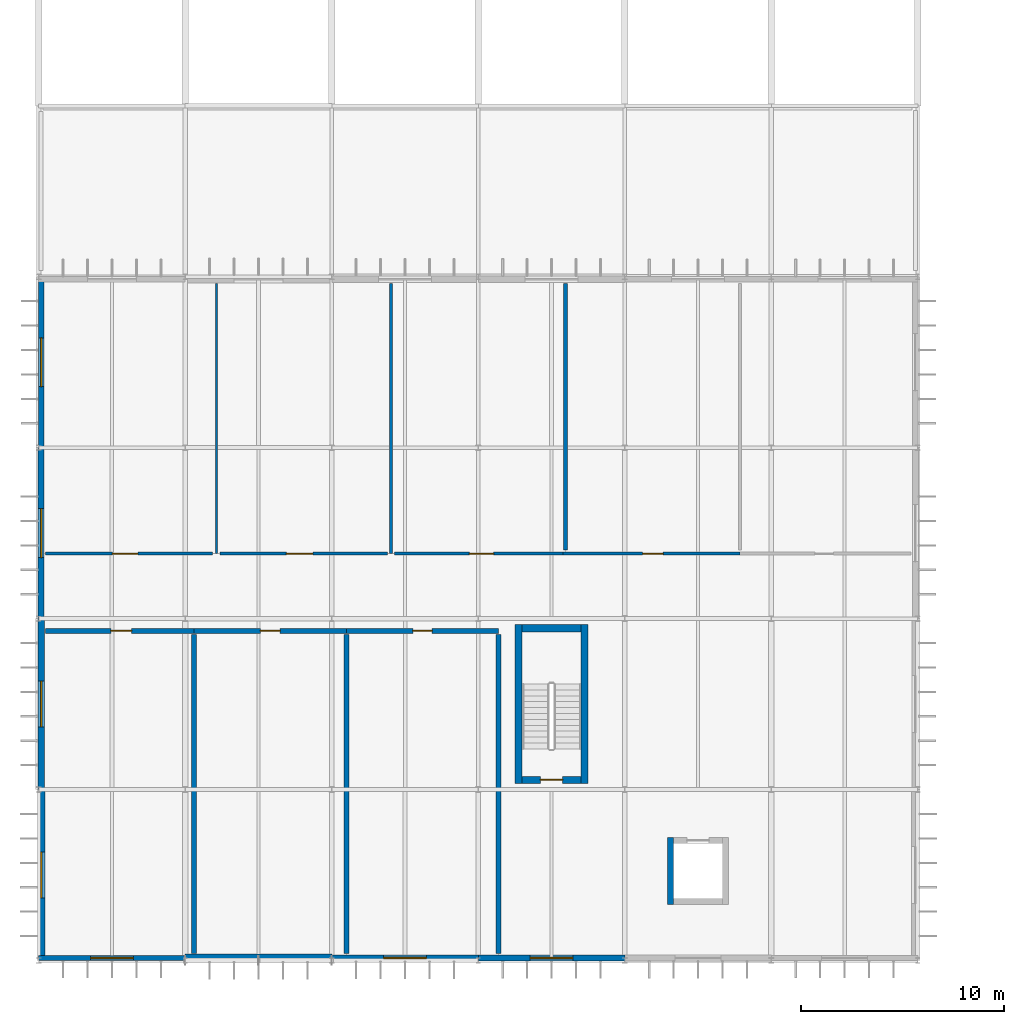
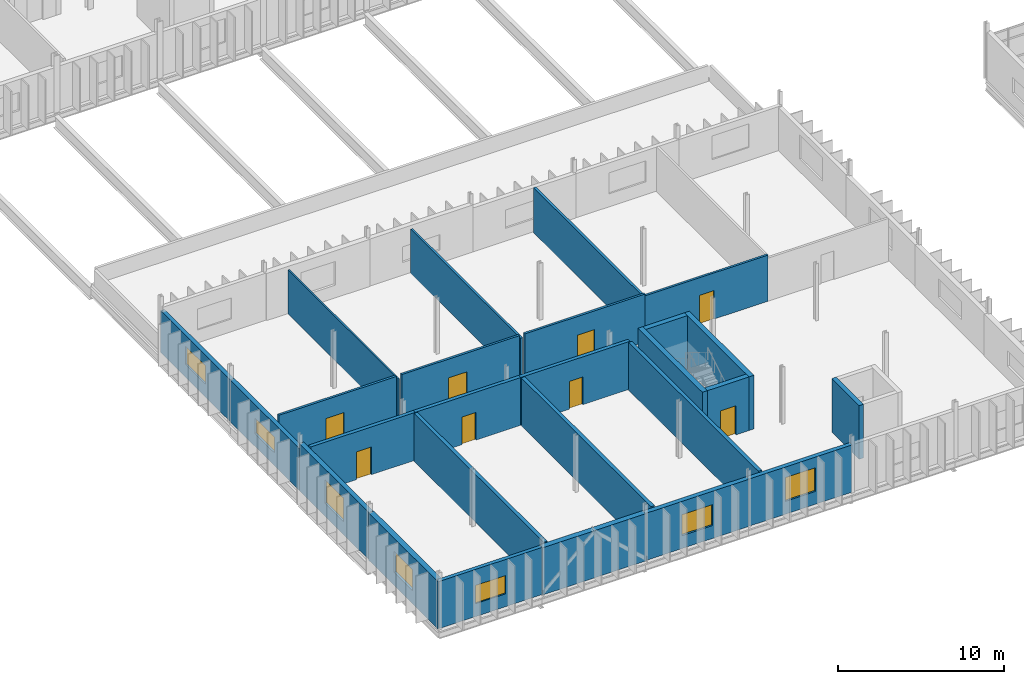
# One storey, part 91 of 119: 26 walls, 8 doors, 7 windows, 15 openings.
"""IFC4 building model written with IfcOpenShell, lengths in metres."""

from ifc_helpers import new_model, si_unit, direction, frame, frame_2d, origin, place, context, subcontext, project, spatial, rectangle, extrude, material, layer, layer_set, type_object, element, fill, save


model = new_model("IFC4")

# Units and contexts
model_context = context("Model", 3, precision=1e-05, world=origin(), true_north=direction((0.0, 1.0)))
body_context = subcontext(model_context, "Body", "Model", "MODEL_VIEW")
ifc_project = project(units=[si_unit("LENGTHUNIT", "METRE"), si_unit("AREAUNIT", "SQUARE_METRE"), si_unit("VOLUMEUNIT", "CUBIC_METRE"), si_unit("PLANEANGLEUNIT", "RADIAN"), si_unit("MASSUNIT", "GRAM", prefix="KILO")], contexts=[model_context])

# Site, building, storey
site_placement = place(None, origin())
site = spatial("IfcSite", under=ifc_project, at=site_placement, CompositionType="ELEMENT")
building_placement = place(site_placement, origin())
building = spatial("IfcBuilding", under=site, at=building_placement, Name="Qelthora Terrace Specialist Clinic", CompositionType="ELEMENT")
storey_placement = place(building_placement, frame((0.0, 0.0, 4.800048828125)))
storey = spatial("IfcBuildingStorey", under=building, at=storey_placement, Name="L01", CompositionType="ELEMENT", Elevation=4.800048828125)

# Walls
ifc_material_1 = material(Name="Concrete C40/50", Category="concrete")
ifc_layer_1 = layer(ifc_material_1, 0.300048828125)
ifc_layer_set_1 = layer_set([ifc_layer_1], Name="Concrete C40/50")
wall_type_1 = type_object("IfcWallType", Name="WAL-CORE-300-C40", PredefinedType="SHEAR", material=ifc_layer_set_1)
wall_1_placement = place(storey_placement, frame((31.050048828125, 2.75, 0.0), z_axis=(0.0, 0.0, 1.0), x_axis=(0.0, 1.0, 0.0)))
element("IfcWall", 1, at=wall_1_placement, inside=storey, type_object=wall_type_1, Name="Lift PL-03 L01 west shaft wall", PredefinedType="SHEAR", context=body_context, shape_type="SweptSolid", body=[
    extrude(rectangle(XDim=3.300048828125, YDim=0.300048828125, at=frame_2d((1.64990234375, 0.0))), origin(), (0.0, 0.0, 1.0), 3.9599609375),
])
ifc_layer_2 = layer(ifc_material_1, 0.35009765625)
ifc_layer_set_2 = layer_set([ifc_layer_2], Name="Concrete C40/50")
wall_type_2 = type_object("IfcWallType", Name="WAL-CORE-350-C40", PredefinedType="SHEAR", material=ifc_layer_set_2)
for number, where, z_axis, x_axis, name in (
    (2, (23.574951171875, 8.699951171875, 0.0), (0.0, 0.0, 1.0), (0.0, 1.0, 0.0), "ST-03 L01 west shear core wall"),
    (3, (26.824951171875, 8.699951171875, 0.0), (0.0, 0.0, 1.0), (0.0, 1.0, 0.0), "ST-03 L01 east shear core wall"),
):
    element("IfcWall", number, at=place(storey_placement, frame(where, z_axis=z_axis, x_axis=x_axis)), inside=storey, type_object=wall_type_2, Name=name, PredefinedType="SHEAR", context=body_context, shape_type="SweptSolid", body=[
        extrude(rectangle(XDim=7.800048828125, YDim=0.35009765625, at=frame_2d((3.89990234375, 0.0))), origin(), (0.0, 0.0, 1.0), 3.9599609375),
    ])
wall_2_placement = place(storey_placement, frame((23.75, 16.324951171875, 0.0), z_axis=(0.0, 0.0, 1.0), x_axis=(1.0, 0.0, 0.0)))
element("IfcWall", 4, at=wall_2_placement, inside=storey, type_object=wall_type_2, Name="ST-03 L01 north shear core wall", PredefinedType="SHEAR", context=body_context, shape_type="SweptSolid", body=[
    extrude(rectangle(XDim=2.89990234375, YDim=0.35009765625, at=frame_2d((1.449951171875, 0.0))), origin(), (0.0, 0.0, 1.0), 3.9599609375),
])

# Wall, opening, door
wall_3_placement = place(storey_placement, frame((23.75, 8.875, 0.0), z_axis=(0.0, 0.0, 1.0), x_axis=(1.0, 0.0, 0.0)))
wall_3 = element("IfcWall", 5, at=wall_3_placement, inside=storey, type_object=wall_type_2, Name="ST-03 L01 south shear core wall", PredefinedType="SHEAR", context=body_context, shape_type="SweptSolid", body=[
    extrude(rectangle(XDim=2.89990234375, YDim=0.35009765625, at=frame_2d((1.449951171875, 0.0))), origin(), (0.0, 0.0, 1.0), 3.9599609375),
])
opening_1_placement = place(wall_3_placement, frame((0.89990234375, 0.0, 0.0)))
opening_1 = element("IfcOpeningElement", 6, at=opening_1_placement, cuts=wall_3, Name="Opening D-ST-03-L01", PredefinedType="OPENING", context=body_context, shape_type="SweptSolid", body=[
    extrude(rectangle(XDim=1.10009765625, YDim=2.14990234375, at=frame_2d((0.550048828125, 1.074951171875))), frame((0.0, 0.18505859375, 0.0), z_axis=(0.0, -1.0, 0.0), x_axis=(1.0, 0.0, 0.0)), (0.0, 0.0, 1.0), 0.3701171875),
])
ifc_material_2 = material(Name="Steel S355", Category="steel")
door_type_1 = type_object("IfcDoorType", Name="DOR-STAIR-1100X2150", OperationType="NOTDEFINED", PredefinedType="DOOR", material=ifc_material_2)
door_1_placement = place(opening_1_placement, origin())
door_1 = element("IfcDoor", 7, at=door_1_placement, inside=storey, type_object=door_type_1, Name="Stair fire door D-ST-03-L01", OperationType="SINGLE_SWING_RIGHT", OverallHeight=2.14990234375, OverallWidth=1.10009765625, PredefinedType="DOOR", context=body_context, shape_type="SweptSolid", body=[
    extrude(rectangle(XDim=1.10009765625, YDim=2.14990234375, at=frame_2d((0.550048828125, 1.074951171875))), frame((0.0, 0.02490234375, 0.0), z_axis=(0.0, -1.0, 0.0), x_axis=(1.0, 0.0, 0.0)), (0.0, 0.0, 1.0), 0.050048828125),
])
fill(opening_1, door_1)

# Wall, opening, window
ifc_material_3 = material(Name="Precast concrete C40/50", Category="concrete")
ifc_layer_3 = layer(ifc_material_3, 0.260009765625)
ifc_layer_set_3 = layer_set([ifc_layer_3], Name="Precast concrete C40/50")
wall_type_3 = type_object("IfcWallType", Name="WAL-EXT-260-PC40", PredefinedType="SOLIDWALL", material=ifc_layer_set_3)
wall_4_placement = place(storey_placement, frame((0.0, 0.1201171875, 0.0), z_axis=(0.0, 0.0, 1.0), x_axis=(1.0, 0.0, 0.0)))
wall_4 = element("IfcWall", 8, at=wall_4_placement, inside=storey, type_object=wall_type_3, Name="L01 external precast wall 189", PredefinedType="SOLIDWALL", context=body_context, shape_type="SweptSolid", body=[
    extrude(rectangle(XDim=7.199951171875, YDim=0.260009765625, at=frame_2d((3.60009765625, 0.0))), origin(), (0.0, 0.0, 1.0), 3.48193359375),
])
opening_2_placement = place(wall_4_placement, frame((2.550048828125, 0.0, 0.949951171875)))
opening_2 = element("IfcOpeningElement", 9, at=opening_2_placement, cuts=wall_4, Name="Opening WN-L01-158", PredefinedType="OPENING", context=body_context, shape_type="SweptSolid", body=[
    extrude(rectangle(XDim=2.10009765625, YDim=1.35009765625, at=frame_2d((1.050048828125, 0.675048828125))), frame((0.0, 0.139892578125, 0.0), z_axis=(0.0, -1.0, 0.0), x_axis=(1.0, 0.0, 0.0)), (0.0, 0.0, 1.0), 0.280029296875),
])
ifc_material_4 = material(Name="Low-E triple-silver insulating glass", Category="glass")
window_type_1 = type_object("IfcWindowType", Name="WIN-2100X1350", PartitioningType="DOUBLE_PANEL_VERTICAL", PredefinedType="WINDOW", material=ifc_material_4)
window_1_placement = place(opening_2_placement, origin())
window_1 = element("IfcWindow", 10, at=window_1_placement, inside=storey, type_object=window_type_1, Name="Clinical window WN-L01-158", OverallHeight=1.35009765625, OverallWidth=2.10009765625, PartitioningType="SINGLE_PANEL", PredefinedType="WINDOW", context=body_context, shape_type="SweptSolid", body=[
    extrude(rectangle(XDim=2.10009765625, YDim=1.35009765625, at=frame_2d((1.050048828125, 0.675048828125))), frame((0.0, 0.030029296875, 0.0), z_axis=(0.0, -1.0, 0.0), x_axis=(1.0, 0.0, 0.0)), (0.0, 0.0, 1.0), 0.06005859375),
])
fill(opening_2, window_1)

ifc_layer_4 = layer(ifc_material_3, 0.280029296875)
ifc_layer_set_4 = layer_set([ifc_layer_4], Name="Precast concrete C40/50")
wall_type_4 = type_object("IfcWallType", Name="WAL-EXT-280-PC40", PredefinedType="SOLIDWALL", material=ifc_layer_set_4)
wall_5_placement = place(storey_placement, frame((0.1201171875, 25.199951171875, 0.0), z_axis=(0.0, 0.0, 1.0), x_axis=(0.0, 1.0, 0.0)))
wall_5 = element("IfcWall", 11, at=wall_5_placement, inside=storey, type_object=wall_type_4, Name="L01 external precast wall 198", PredefinedType="SOLIDWALL", context=body_context, shape_type="SweptSolid", body=[
    extrude(rectangle(XDim=8.400146484375, YDim=0.280029296875, at=frame_2d((4.2001953125, 0.0))), origin(), (0.0, 0.0, 1.0), 3.091064453125),
])
opening_3_placement = place(wall_5_placement, frame((3.0, 0.0, 0.949951171875)))
opening_3 = element("IfcOpeningElement", 12, at=opening_3_placement, cuts=wall_5, Name="Opening WN-L01-166", PredefinedType="OPENING", context=body_context, shape_type="SweptSolid", body=[
    extrude(rectangle(XDim=2.39990234375, YDim=1.35009765625, at=frame_2d((1.199951171875, 0.675048828125))), frame((0.0, 0.14990234375, 0.0), z_axis=(0.0, -1.0, 0.0), x_axis=(1.0, 0.0, 0.0)), (0.0, 0.0, 1.0), 0.300048828125),
])
window_type_2 = type_object("IfcWindowType", Name="WIN-2400X1350", PartitioningType="DOUBLE_PANEL_VERTICAL", PredefinedType="WINDOW", material=ifc_material_4)
window_2_placement = place(opening_3_placement, origin())
window_2 = element("IfcWindow", 13, at=window_2_placement, inside=storey, type_object=window_type_2, Name="Clinical window WN-L01-166", OverallHeight=1.35009765625, OverallWidth=2.39990234375, PartitioningType="SINGLE_PANEL", PredefinedType="WINDOW", context=body_context, shape_type="SweptSolid", body=[
    extrude(rectangle(XDim=2.39990234375, YDim=1.35009765625, at=frame_2d((1.199951171875, 0.675048828125))), frame((0.0, 0.030029296875, 0.0), z_axis=(0.0, -1.0, 0.0), x_axis=(1.0, 0.0, 0.0)), (0.0, 0.0, 1.0), 0.06005859375),
])
fill(opening_3, window_2)

ifc_layer_5 = layer(ifc_material_3, 0.300048828125)
ifc_layer_set_5 = layer_set([ifc_layer_5], Name="Precast concrete C40/50")
wall_type_5 = type_object("IfcWallType", Name="WAL-EXT-300-PC40", PredefinedType="SOLIDWALL", material=ifc_layer_set_5)
wall_6_placement = place(storey_placement, frame((21.60009765625, 0.1201171875, 0.0), z_axis=(0.0, 0.0, 1.0), x_axis=(1.0, 0.0, 0.0)))
wall_6 = element("IfcWall", 14, at=wall_6_placement, inside=storey, type_object=wall_type_5, Name="L01 external precast wall 192", PredefinedType="SOLIDWALL", context=body_context, shape_type="SweptSolid", body=[
    extrude(rectangle(XDim=7.199951171875, YDim=0.300048828125, at=frame_2d((3.60009765625, 0.0))), origin(), (0.0, 0.0, 1.0), 3.48193359375),
])
opening_4_placement = place(wall_6_placement, frame((2.550048828125, 0.0, 0.949951171875)))
opening_4 = element("IfcOpeningElement", 15, at=opening_4_placement, cuts=wall_6, Name="Opening WN-L01-160", PredefinedType="OPENING", context=body_context, shape_type="SweptSolid", body=[
    extrude(rectangle(XDim=2.10009765625, YDim=1.75, at=frame_2d((1.050048828125, 0.875))), frame((0.0, 0.159912109375, 0.0), z_axis=(0.0, -1.0, 0.0), x_axis=(1.0, 0.0, 0.0)), (0.0, 0.0, 1.0), 0.320068359375),
])
window_type_3 = type_object("IfcWindowType", Name="WIN-2100X1750", PartitioningType="DOUBLE_PANEL_VERTICAL", PredefinedType="WINDOW", material=ifc_material_4)
window_3_placement = place(opening_4_placement, origin())
window_3 = element("IfcWindow", 16, at=window_3_placement, inside=storey, type_object=window_type_3, Name="Clinical window WN-L01-160", OverallHeight=1.75, OverallWidth=2.10009765625, PartitioningType="SINGLE_PANEL", PredefinedType="WINDOW", context=body_context, shape_type="SweptSolid", body=[
    extrude(rectangle(XDim=2.10009765625, YDim=1.75, at=frame_2d((1.050048828125, 0.875))), frame((0.0, 0.030029296875, 0.0), z_axis=(0.0, -1.0, 0.0), x_axis=(1.0, 0.0, 0.0)), (0.0, 0.0, 1.0), 0.06005859375),
])
fill(opening_4, window_3)

wall_7_placement = place(storey_placement, frame((0.1201171875, 16.800048828125, 0.0), z_axis=(0.0, 0.0, 1.0), x_axis=(0.0, 1.0, 0.0)))
wall_7 = element("IfcWall", 17, at=wall_7_placement, inside=storey, type_object=wall_type_5, Name="L01 external precast wall 197", PredefinedType="SOLIDWALL", context=body_context, shape_type="SweptSolid", body=[
    extrude(rectangle(XDim=8.39990234375, YDim=0.300048828125, at=frame_2d((4.199951171875, 0.0))), origin(), (0.0, 0.0, 1.0), 3.091064453125),
])
opening_5_placement = place(wall_7_placement, frame((3.0, 0.0, 0.949951171875)))
opening_5 = element("IfcOpeningElement", 18, at=opening_5_placement, cuts=wall_7, Name="Opening WN-L01-165", PredefinedType="OPENING", context=body_context, shape_type="SweptSolid", body=[
    extrude(rectangle(XDim=2.39990234375, YDim=1.14990234375, at=frame_2d((1.199951171875, 0.574951171875))), frame((0.0, 0.159912109375, 0.0), z_axis=(0.0, -1.0, 0.0), x_axis=(1.0, 0.0, 0.0)), (0.0, 0.0, 1.0), 0.320068359375),
])
window_type_4 = type_object("IfcWindowType", Name="WIN-2400X1150", PartitioningType="DOUBLE_PANEL_VERTICAL", PredefinedType="WINDOW", material=ifc_material_4)
window_4_placement = place(opening_5_placement, origin())
window_4 = element("IfcWindow", 19, at=window_4_placement, inside=storey, type_object=window_type_4, Name="Clinical window WN-L01-165", OverallHeight=1.14990234375, OverallWidth=2.39990234375, PartitioningType="SINGLE_PANEL", PredefinedType="WINDOW", context=body_context, shape_type="SweptSolid", body=[
    extrude(rectangle(XDim=2.39990234375, YDim=1.14990234375, at=frame_2d((1.199951171875, 0.574951171875))), frame((0.0, 0.030029296875, 0.0), z_axis=(0.0, -1.0, 0.0), x_axis=(1.0, 0.0, 0.0)), (0.0, 0.0, 1.0), 0.06005859375),
])
fill(opening_5, window_4)

ifc_layer_6 = layer(ifc_material_3, 0.320068359375)
ifc_layer_set_6 = layer_set([ifc_layer_6], Name="Precast concrete C40/50")
wall_type_6 = type_object("IfcWallType", Name="WAL-EXT-320-PC40", PredefinedType="SOLIDWALL", material=ifc_layer_set_6)
wall_8_placement = place(storey_placement, frame((14.39990234375, 0.1201171875, 0.0), z_axis=(0.0, 0.0, 1.0), x_axis=(1.0, 0.0, 0.0)))
wall_8 = element("IfcWall", 20, at=wall_8_placement, inside=storey, type_object=wall_type_6, Name="L01 external precast wall 191", PredefinedType="SOLIDWALL", context=body_context, shape_type="SweptSolid", body=[
    extrude(rectangle(XDim=7.2001953125, YDim=0.320068359375, at=frame_2d((3.60009765625, 0.0))), origin(), (0.0, 0.0, 1.0), 3.48193359375),
])
opening_6_placement = place(wall_8_placement, frame((2.550048828125, 0.0, 0.949951171875)))
opening_6 = element("IfcOpeningElement", 21, at=opening_6_placement, cuts=wall_8, Name="Opening WN-L01-159", PredefinedType="OPENING", context=body_context, shape_type="SweptSolid", body=[
    extrude(rectangle(XDim=2.10009765625, YDim=1.550048828125, at=frame_2d((1.050048828125, 0.77490234375))), frame((0.0, 0.169921875, 0.0), z_axis=(0.0, -1.0, 0.0), x_axis=(1.0, 0.0, 0.0)), (0.0, 0.0, 1.0), 0.340087890625),
])
window_type_5 = type_object("IfcWindowType", Name="WIN-2100X1550", PartitioningType="DOUBLE_PANEL_VERTICAL", PredefinedType="WINDOW", material=ifc_material_4)
window_5_placement = place(opening_6_placement, origin())
window_5 = element("IfcWindow", 22, at=window_5_placement, inside=storey, type_object=window_type_5, Name="Clinical window WN-L01-159", OverallHeight=1.550048828125, OverallWidth=2.10009765625, PartitioningType="SINGLE_PANEL", PredefinedType="WINDOW", context=body_context, shape_type="SweptSolid", body=[
    extrude(rectangle(XDim=2.10009765625, YDim=1.550048828125, at=frame_2d((1.050048828125, 0.77490234375))), frame((0.0, 0.030029296875, 0.0), z_axis=(0.0, -1.0, 0.0), x_axis=(1.0, 0.0, 0.0)), (0.0, 0.0, 1.0), 0.06005859375),
])
fill(opening_6, window_5)

wall_9_placement = place(storey_placement, frame((0.1201171875, 8.39990234375, 0.0), z_axis=(0.0, 0.0, 1.0), x_axis=(0.0, 1.0, 0.0)))
wall_9 = element("IfcWall", 23, at=wall_9_placement, inside=storey, type_object=wall_type_6, Name="L01 external precast wall 196", PredefinedType="SOLIDWALL", context=body_context, shape_type="SweptSolid", body=[
    extrude(rectangle(XDim=8.400146484375, YDim=0.320068359375, at=frame_2d((4.2001953125, 0.0))), origin(), (0.0, 0.0, 1.0), 3.48193359375),
])
opening_7_placement = place(wall_9_placement, frame((3.074951171875, 0.0, 0.949951171875)))
opening_7 = element("IfcOpeningElement", 24, at=opening_7_placement, cuts=wall_9, Name="Opening WN-L01-164", PredefinedType="OPENING", context=body_context, shape_type="SweptSolid", body=[
    extrude(rectangle(XDim=2.25, YDim=1.75, at=frame_2d((1.125, 0.875))), frame((0.0, 0.169921875, 0.0), z_axis=(0.0, -1.0, 0.0), x_axis=(1.0, 0.0, 0.0)), (0.0, 0.0, 1.0), 0.340087890625),
])
window_type_6 = type_object("IfcWindowType", Name="WIN-2250X1750", PartitioningType="DOUBLE_PANEL_VERTICAL", PredefinedType="WINDOW", material=ifc_material_4)
window_6_placement = place(opening_7_placement, origin())
window_6 = element("IfcWindow", 25, at=window_6_placement, inside=storey, type_object=window_type_6, Name="Clinical window WN-L01-164", OverallHeight=1.75, OverallWidth=2.25, PartitioningType="SINGLE_PANEL", PredefinedType="WINDOW", context=body_context, shape_type="SweptSolid", body=[
    extrude(rectangle(XDim=2.25, YDim=1.75, at=frame_2d((1.125, 0.875))), frame((0.0, 0.030029296875, 0.0), z_axis=(0.0, -1.0, 0.0), x_axis=(1.0, 0.0, 0.0)), (0.0, 0.0, 1.0), 0.06005859375),
])
fill(opening_7, window_6)

# Wall
ifc_layer_7 = layer(ifc_material_3, 0.3798828125)
ifc_layer_set_7 = layer_set([ifc_layer_7], Name="Precast concrete C40/50")
wall_type_7 = type_object("IfcWallType", Name="WAL-EXT-380-PC40", PredefinedType="SOLIDWALL", material=ifc_layer_set_7)
wall_10_placement = place(storey_placement, frame((7.199951171875, 0.1201171875, 0.0), z_axis=(0.0, 0.0, 1.0), x_axis=(1.0, 0.0, 0.0)))
element("IfcWall", 26, at=wall_10_placement, inside=storey, type_object=wall_type_7, Name="L01 external precast wall 190", PredefinedType="SOLIDWALL", context=body_context, shape_type="SweptSolid", body=[
    extrude(rectangle(XDim=7.199951171875, YDim=0.3798828125, at=frame_2d((3.60009765625, 0.0))), origin(), (0.0, 0.0, 1.0), 3.48193359375),
])

# Wall, opening, window
wall_11_placement = place(storey_placement, frame((0.1201171875, 0.0, 0.0), z_axis=(0.0, 0.0, 1.0), x_axis=(0.0, 1.0, 0.0)))
wall_11 = element("IfcWall", 27, at=wall_11_placement, inside=storey, type_object=wall_type_7, Name="L01 external precast wall 195", PredefinedType="SOLIDWALL", context=body_context, shape_type="SweptSolid", body=[
    extrude(rectangle(XDim=8.39990234375, YDim=0.3798828125, at=frame_2d((4.199951171875, 0.0))), origin(), (0.0, 0.0, 1.0), 3.48193359375),
])
opening_8_placement = place(wall_11_placement, frame((3.074951171875, 0.0, 0.949951171875)))
opening_8 = element("IfcOpeningElement", 28, at=opening_8_placement, cuts=wall_11, Name="Opening WN-L01-163", PredefinedType="OPENING", context=body_context, shape_type="SweptSolid", body=[
    extrude(rectangle(XDim=2.25, YDim=1.550048828125, at=frame_2d((1.125, 0.77490234375))), frame((0.0, 0.199951171875, 0.0), z_axis=(0.0, -1.0, 0.0), x_axis=(1.0, 0.0, 0.0)), (0.0, 0.0, 1.0), 0.39990234375),
])
window_type_7 = type_object("IfcWindowType", Name="WIN-2250X1550", PartitioningType="DOUBLE_PANEL_VERTICAL", PredefinedType="WINDOW", material=ifc_material_4)
window_7_placement = place(opening_8_placement, origin())
window_7 = element("IfcWindow", 29, at=window_7_placement, inside=storey, type_object=window_type_7, Name="Clinical window WN-L01-163", OverallHeight=1.550048828125, OverallWidth=2.25, PartitioningType="SINGLE_PANEL", PredefinedType="WINDOW", context=body_context, shape_type="SweptSolid", body=[
    extrude(rectangle(XDim=2.25, YDim=1.550048828125, at=frame_2d((1.125, 0.77490234375))), frame((0.0, 0.030029296875, 0.0), z_axis=(0.0, -1.0, 0.0), x_axis=(1.0, 0.0, 0.0)), (0.0, 0.0, 1.0), 0.06005859375),
])
fill(opening_8, window_7)

# Wall
ifc_material_5 = material(Name="Gypsum fire-rated wallboard", Category="gypsum")
ifc_layer_8 = layer(ifc_material_5, 0.179931640625)
ifc_layer_set_8 = layer_set([ifc_layer_8], Name="Gypsum fire-rated wallboard")
wall_type_8 = type_object("IfcWallType", Name="WAL-INT-CLN-180", PredefinedType="PARTITIONING", material=ifc_layer_set_8)
wall_12_placement = place(storey_placement, frame((25.889892578125, 33.260009765625, 0.0), z_axis=(0.0, 0.0, 1.0), x_axis=(0.0, -1.0, 0.0)))
element("IfcWall", 30, at=wall_12_placement, inside=storey, type_object=wall_type_8, Name="Interior clinical partition IWAL-L01-0166", PredefinedType="PARTITIONING", context=body_context, shape_type="SweptSolid", body=[
    extrude(rectangle(XDim=13.080078125, YDim=0.179931640625, at=frame_2d((6.5400390625, 0.0))), origin(), (0.0, 0.0, 1.0), 3.323974609375),
])

# Wall, opening, door
ifc_layer_9 = layer(ifc_material_5, 0.159912109375)
ifc_layer_set_9 = layer_set([ifc_layer_9], Name="Gypsum fire-rated wallboard")
wall_type_9 = type_object("IfcWallType", Name="WAL-INT-COR-160", PredefinedType="PARTITIONING", material=ifc_layer_set_9)
wall_13_placement = place(storey_placement, frame((8.550048828125, 20.0, 0.0), z_axis=(0.0, 0.0, 1.0), x_axis=(-1.0, 0.0, 0.0)))
wall_13 = element("IfcWall", 31, at=wall_13_placement, inside=storey, type_object=wall_type_9, Name="Interior clinical partition IWAL-L01-0162", PredefinedType="PARTITIONING", context=body_context, shape_type="SweptSolid", body=[
    extrude(rectangle(XDim=8.2099609375, YDim=0.159912109375, at=frame_2d((4.10498046875, 0.0))), origin(), (0.0, 0.0, 1.0), 3.534912109375),
])
opening_9_placement = place(wall_13_placement, frame((3.679931640625, 0.0, 0.0)))
opening_9 = element("IfcOpeningElement", 32, at=opening_9_placement, cuts=wall_13, Name="Opening DI-L01-0063", PredefinedType="OPENING", context=body_context, shape_type="SweptSolid", body=[
    extrude(rectangle(XDim=1.25, YDim=2.14990234375, at=frame_2d((0.625, 1.074951171875))), frame((0.0, 0.08984375, 0.0), z_axis=(0.0, -1.0, 0.0), x_axis=(1.0, 0.0, 0.0)), (0.0, 0.0, 1.0), 0.179931640625),
])
ifc_material_6 = material(Name="Glulam timber GL28h", Category="wood")
door_type_2 = type_object("IfcDoorType", Name="DOR-INF-1250X2150", OperationType="NOTDEFINED", PredefinedType="DOOR", material=ifc_material_6)
door_2_placement = place(opening_9_placement, frame((1.25, 0.0, 0.0), z_axis=(0.0, 0.0, 1.0), x_axis=(-1.0, 0.0, 0.0)))
door_2 = element("IfcDoor", 33, at=door_2_placement, inside=storey, type_object=door_type_2, Name="Interior clinical door DI-L01-0063", OperationType="SINGLE_SWING_RIGHT", OverallHeight=2.14990234375, OverallWidth=1.25, PredefinedType="DOOR", context=body_context, shape_type="SweptSolid", body=[
    extrude(rectangle(XDim=1.25, YDim=2.14990234375, at=frame_2d((0.625, 1.074951171875))), frame((0.0, 0.02490234375, 0.0), z_axis=(0.0, -1.0, 0.0), x_axis=(1.0, 0.0, 0.0)), (0.0, 0.0, 1.0), 0.050048828125),
])
fill(opening_9, door_2)

wall_14_placement = place(storey_placement, frame((17.1298828125, 20.0, 0.0), z_axis=(0.0, 0.0, 1.0), x_axis=(-1.0, 0.0, 0.0)))
wall_14 = element("IfcWall", 34, at=wall_14_placement, inside=storey, type_object=wall_type_9, Name="Interior clinical partition IWAL-L01-0164", PredefinedType="PARTITIONING", context=body_context, shape_type="SweptSolid", body=[
    extrude(rectangle(XDim=8.219970703125, YDim=0.159912109375, at=frame_2d((4.10986328125, 0.0))), origin(), (0.0, 0.0, 1.0), 3.534912109375),
])
opening_10_placement = place(wall_14_placement, frame((3.659912109375, 0.0, 0.0)))
opening_10 = element("IfcOpeningElement", 35, at=opening_10_placement, cuts=wall_14, Name="Opening DI-L01-0064", PredefinedType="OPENING", context=body_context, shape_type="SweptSolid", body=[
    extrude(rectangle(XDim=1.300048828125, YDim=2.14990234375, at=frame_2d((0.64990234375, 1.074951171875))), frame((0.0, 0.08984375, 0.0), z_axis=(0.0, -1.0, 0.0), x_axis=(1.0, 0.0, 0.0)), (0.0, 0.0, 1.0), 0.179931640625),
])
door_type_3 = type_object("IfcDoorType", Name="DOR-REC-1300X2150", OperationType="NOTDEFINED", PredefinedType="DOOR", material=ifc_material_6)
door_3_placement = place(opening_10_placement, frame((1.300048828125, 0.0, 0.0), z_axis=(0.0, 0.0, 1.0), x_axis=(-1.0, 0.0, 0.0)))
door_3 = element("IfcDoor", 36, at=door_3_placement, inside=storey, type_object=door_type_3, Name="Interior clinical door DI-L01-0064", OperationType="SINGLE_SWING_LEFT", OverallHeight=2.14990234375, OverallWidth=1.300048828125, PredefinedType="DOOR", context=body_context, shape_type="SweptSolid", body=[
    extrude(rectangle(XDim=1.300048828125, YDim=2.14990234375, at=frame_2d((0.64990234375, 1.074951171875))), frame((0.0, 0.02490234375, 0.0), z_axis=(0.0, -1.0, 0.0), x_axis=(1.0, 0.0, 0.0)), (0.0, 0.0, 1.0), 0.050048828125),
])
fill(opening_10, door_3)

wall_15_placement = place(storey_placement, frame((25.889892578125, 20.0, 0.0), z_axis=(0.0, 0.0, 1.0), x_axis=(-1.0, 0.0, 0.0)))
wall_15 = element("IfcWall", 37, at=wall_15_placement, inside=storey, type_object=wall_type_9, Name="Interior clinical partition IWAL-L01-0165", PredefinedType="PARTITIONING", context=body_context, shape_type="SweptSolid", body=[
    extrude(rectangle(XDim=8.39990234375, YDim=0.159912109375, at=frame_2d((4.199951171875, 0.0))), origin(), (0.0, 0.0, 1.0), 3.531005859375),
])
opening_11_placement = place(wall_15_placement, frame((3.530029296875, 0.0, 0.0)))
opening_11 = element("IfcOpeningElement", 38, at=opening_11_placement, cuts=wall_15, Name="Opening DI-L01-0065", PredefinedType="OPENING", context=body_context, shape_type="SweptSolid", body=[
    extrude(rectangle(XDim=1.199951171875, YDim=2.14990234375, at=frame_2d((0.60009765625, 1.074951171875))), frame((0.0, 0.08984375, 0.0), z_axis=(0.0, -1.0, 0.0), x_axis=(1.0, 0.0, 0.0)), (0.0, 0.0, 1.0), 0.179931640625),
])
door_type_4 = type_object("IfcDoorType", Name="DOR-LAB-1200X2150", OperationType="NOTDEFINED", PredefinedType="DOOR", material=ifc_material_2)
door_4_placement = place(opening_11_placement, frame((1.199951171875, 0.0, 0.0), z_axis=(0.0, 0.0, 1.0), x_axis=(-1.0, 0.0, 0.0)))
door_4 = element("IfcDoor", 39, at=door_4_placement, inside=storey, type_object=door_type_4, Name="Interior clinical door DI-L01-0065", OperationType="SINGLE_SWING_RIGHT", OverallHeight=2.14990234375, OverallWidth=1.199951171875, PredefinedType="DOOR", context=body_context, shape_type="SweptSolid", body=[
    extrude(rectangle(XDim=1.199951171875, YDim=2.14990234375, at=frame_2d((0.60009765625, 1.074951171875))), frame((0.0, 0.02490234375, 0.0), z_axis=(0.0, -1.0, 0.0), x_axis=(1.0, 0.0, 0.0)), (0.0, 0.0, 1.0), 0.050048828125),
])
fill(opening_11, door_4)

# Wall
ifc_layer_10 = layer(ifc_material_4, 0.110107421875)
ifc_layer_set_10 = layer_set([ifc_layer_10], Name="Low-E triple-silver insulating glass")
wall_type_10 = type_object("IfcWallType", Name="WAL-INT-GLA-110", PredefinedType="MOVABLE", material=ifc_layer_set_10)
wall_16_placement = place(storey_placement, frame((8.72998046875, 33.260009765625, 0.0), z_axis=(0.0, 0.0, 1.0), x_axis=(0.0, -1.0, 0.0)))
element("IfcWall", 40, at=wall_16_placement, inside=storey, type_object=wall_type_10, Name="Interior clinical partition IWAL-L01-0161", PredefinedType="MOVABLE", context=body_context, shape_type="SweptSolid", body=[
    extrude(rectangle(XDim=13.260009765625, YDim=0.110107421875, at=frame_2d((6.6298828125, 0.0))), origin(), (0.0, 0.0, 1.0), 3.251953125),
])

# Wall, opening, door
ifc_material_7 = material(Name="Concrete C30/37", Category="concrete")
ifc_layer_11 = layer(ifc_material_7, 0.25)
ifc_layer_set_11 = layer_set([ifc_layer_11], Name="Concrete C30/37")
wall_type_11 = type_object("IfcWallType", Name="WAL-INT-RAD-250", PredefinedType="SOLIDWALL", material=ifc_layer_set_11)
wall_17_placement = place(storey_placement, frame((0.340087890625, 16.199951171875, 0.0), z_axis=(0.0, 0.0, 1.0), x_axis=(1.0, 0.0, 0.0)))
wall_17 = element("IfcWall", 41, at=wall_17_placement, inside=storey, type_object=wall_type_11, Name="Interior clinical partition IWAL-L01-0155", PredefinedType="SOLIDWALL", context=body_context, shape_type="SweptSolid", body=[
    extrude(rectangle(XDim=7.293212890625, YDim=0.25, at=frame_2d((3.646484375, 0.0))), origin(), (0.0, 0.0, 1.0), 3.531982421875),
])
opening_12_placement = place(wall_17_placement, frame((3.206787109375, 0.0, 0.0)))
opening_12 = element("IfcOpeningElement", 42, at=opening_12_placement, cuts=wall_17, Name="Opening DI-L01-0060", PredefinedType="OPENING", context=body_context, shape_type="SweptSolid", body=[
    extrude(rectangle(XDim=1.02001953125, YDim=2.050048828125, at=frame_2d((0.510009765625, 1.02490234375))), frame((0.0, 0.135009765625, 0.0), z_axis=(0.0, -1.0, 0.0), x_axis=(1.0, 0.0, 0.0)), (0.0, 0.0, 1.0), 0.27001953125),
])
door_type_5 = type_object("IfcDoorType", Name="DOR-CON-1020X2050", OperationType="NOTDEFINED", PredefinedType="DOOR", material=ifc_material_6)
door_5_placement = place(opening_12_placement, frame((1.02001953125, 0.0, 0.0), z_axis=(0.0, 0.0, 1.0), x_axis=(-1.0, 0.0, 0.0)))
door_5 = element("IfcDoor", 43, at=door_5_placement, inside=storey, type_object=door_type_5, Name="Interior clinical door DI-L01-0060", OperationType="SINGLE_SWING_LEFT", OverallHeight=2.050048828125, OverallWidth=1.02001953125, PredefinedType="DOOR", context=body_context, shape_type="SweptSolid", body=[
    extrude(rectangle(XDim=1.02001953125, YDim=2.050048828125, at=frame_2d((0.510009765625, 1.02490234375))), frame((0.0, 0.02490234375, 0.0), z_axis=(0.0, -1.0, 0.0), x_axis=(1.0, 0.0, 0.0)), (0.0, 0.0, 1.0), 0.050048828125),
])
fill(opening_12, door_5)

# Wall
wall_18_placement = place(storey_placement, frame((7.63330078125, 16.02001953125, 0.0), z_axis=(0.0, 0.0, 1.0), x_axis=(0.0, -1.0, 0.0)))
element("IfcWall", 44, at=wall_18_placement, inside=storey, type_object=wall_type_11, Name="Interior clinical partition IWAL-L01-0156", PredefinedType="SOLIDWALL", context=body_context, shape_type="SweptSolid", body=[
    extrude(rectangle(XDim=15.679931640625, YDim=0.25, at=frame_2d((7.83984375, 0.0))), origin(), (0.0, 0.0, 1.0), 3.531982421875),
])

# Wall, opening, door
wall_19_placement = place(storey_placement, frame((7.498291015625, 16.199951171875, 0.0), z_axis=(0.0, 0.0, 1.0), x_axis=(1.0, 0.0, 0.0)))
wall_19 = element("IfcWall", 45, at=wall_19_placement, inside=storey, type_object=wall_type_11, Name="Interior clinical partition IWAL-L01-0157", PredefinedType="SOLIDWALL", context=body_context, shape_type="SweptSolid", body=[
    extrude(rectangle(XDim=7.618408203125, YDim=0.25, at=frame_2d((3.80908203125, 0.0))), origin(), (0.0, 0.0, 1.0), 3.531982421875),
])
opening_13_placement = place(wall_19_placement, frame((3.38916015625, 0.0, 0.0)))
opening_13 = element("IfcOpeningElement", 46, at=opening_13_placement, cuts=wall_19, Name="Opening DI-L01-0061", PredefinedType="OPENING", context=body_context, shape_type="SweptSolid", body=[
    extrude(rectangle(XDim=0.97998046875, YDim=2.050048828125, at=frame_2d((0.489990234375, 1.02490234375))), frame((0.0, 0.135009765625, 0.0), z_axis=(0.0, -1.0, 0.0), x_axis=(1.0, 0.0, 0.0)), (0.0, 0.0, 1.0), 0.27001953125),
])
door_type_6 = type_object("IfcDoorType", Name="DOR-CON-980X2050", OperationType="NOTDEFINED", PredefinedType="DOOR", material=ifc_material_6)
door_6_placement = place(opening_13_placement, frame((0.97998046875, 0.0, 0.0), z_axis=(0.0, 0.0, 1.0), x_axis=(-1.0, 0.0, 0.0)))
door_6 = element("IfcDoor", 47, at=door_6_placement, inside=storey, type_object=door_type_6, Name="Interior clinical door DI-L01-0061", OperationType="SINGLE_SWING_RIGHT", OverallHeight=2.050048828125, OverallWidth=0.97998046875, PredefinedType="DOOR", context=body_context, shape_type="SweptSolid", body=[
    extrude(rectangle(XDim=0.97998046875, YDim=2.050048828125, at=frame_2d((0.489990234375, 1.02490234375))), frame((0.0, 0.02490234375, 0.0), z_axis=(0.0, -1.0, 0.0), x_axis=(1.0, 0.0, 0.0)), (0.0, 0.0, 1.0), 0.050048828125),
])
fill(opening_13, door_6)

# Wall
wall_20_placement = place(storey_placement, frame((15.11669921875, 16.02001953125, 0.0), z_axis=(0.0, 0.0, 1.0), x_axis=(0.0, -1.0, 0.0)))
element("IfcWall", 48, at=wall_20_placement, inside=storey, type_object=wall_type_11, Name="Interior clinical partition IWAL-L01-0158", PredefinedType="SOLIDWALL", context=body_context, shape_type="SweptSolid", body=[
    extrude(rectangle(XDim=15.679931640625, YDim=0.25, at=frame_2d((7.83984375, 0.0))), origin(), (0.0, 0.0, 1.0), 3.534912109375),
])

# Wall, opening, door
wall_21_placement = place(storey_placement, frame((14.981689453125, 16.199951171875, 0.0), z_axis=(0.0, 0.0, 1.0), x_axis=(1.0, 0.0, 0.0)))
wall_21 = element("IfcWall", 49, at=wall_21_placement, inside=storey, type_object=wall_type_11, Name="Interior clinical partition IWAL-L01-0159", PredefinedType="SOLIDWALL", context=body_context, shape_type="SweptSolid", body=[
    extrude(rectangle(XDim=7.618408203125, YDim=0.25, at=frame_2d((3.80908203125, 0.0))), origin(), (0.0, 0.0, 1.0), 3.531982421875),
])
opening_14_placement = place(wall_21_placement, frame((3.4091796875, 0.0, 0.0)))
opening_14 = element("IfcOpeningElement", 50, at=opening_14_placement, cuts=wall_21, Name="Opening DI-L01-0062", PredefinedType="OPENING", context=body_context, shape_type="SweptSolid", body=[
    extrude(rectangle(XDim=0.93994140625, YDim=2.050048828125, at=frame_2d((0.469970703125, 1.02490234375))), frame((0.0, 0.135009765625, 0.0), z_axis=(0.0, -1.0, 0.0), x_axis=(1.0, 0.0, 0.0)), (0.0, 0.0, 1.0), 0.27001953125),
])
door_type_7 = type_object("IfcDoorType", Name="DOR-CON-940X2050", OperationType="NOTDEFINED", PredefinedType="DOOR", material=ifc_material_6)
door_7_placement = place(opening_14_placement, frame((0.93994140625, 0.0, 0.0), z_axis=(0.0, 0.0, 1.0), x_axis=(-1.0, 0.0, 0.0)))
door_7 = element("IfcDoor", 51, at=door_7_placement, inside=storey, type_object=door_type_7, Name="Interior clinical door DI-L01-0062", OperationType="SINGLE_SWING_LEFT", OverallHeight=2.050048828125, OverallWidth=0.93994140625, PredefinedType="DOOR", context=body_context, shape_type="SweptSolid", body=[
    extrude(rectangle(XDim=0.93994140625, YDim=2.050048828125, at=frame_2d((0.469970703125, 1.02490234375))), frame((0.0, 0.02490234375, 0.0), z_axis=(0.0, -1.0, 0.0), x_axis=(1.0, 0.0, 0.0)), (0.0, 0.0, 1.0), 0.050048828125),
])
fill(opening_14, door_7)

# Walls
wall_22_placement = place(storey_placement, frame((22.60009765625, 16.02001953125, 0.0), z_axis=(0.0, 0.0, 1.0), x_axis=(0.0, -1.0, 0.0)))
element("IfcWall", 52, at=wall_22_placement, inside=storey, type_object=wall_type_11, Name="Interior clinical partition IWAL-L01-0160", PredefinedType="SOLIDWALL", context=body_context, shape_type="SweptSolid", body=[
    extrude(rectangle(XDim=15.679931640625, YDim=0.25, at=frame_2d((7.83984375, 0.0))), origin(), (0.0, 0.0, 1.0), 3.531982421875),
])
ifc_material_8 = material(Name="Gypsum moisture-resistant", Category="gypsum")
ifc_layer_12 = layer(ifc_material_8, 0.14990234375)
ifc_layer_set_12 = layer_set([ifc_layer_12], Name="Gypsum moisture-resistant")
wall_type_12 = type_object("IfcWallType", Name="WAL-INT-WET-150", PredefinedType="PLUMBINGWALL", material=ifc_layer_set_12)
wall_23_placement = place(storey_placement, frame((17.31005859375, 33.260009765625, 0.0), z_axis=(0.0, 0.0, 1.0), x_axis=(0.0, -1.0, 0.0)))
element("IfcWall", 53, at=wall_23_placement, inside=storey, type_object=wall_type_12, Name="Interior clinical partition IWAL-L01-0163", PredefinedType="PLUMBINGWALL", context=body_context, shape_type="SweptSolid", body=[
    extrude(rectangle(XDim=13.260009765625, YDim=0.14990234375, at=frame_2d((6.6298828125, 0.0))), origin(), (0.0, 0.0, 1.0), 3.2568359375),
])

# Wall, opening, door
wall_24_placement = place(storey_placement, frame((34.469970703125, 20.0, 0.0), z_axis=(0.0, 0.0, 1.0), x_axis=(-1.0, 0.0, 0.0)))
wall_24 = element("IfcWall", 54, at=wall_24_placement, inside=storey, type_object=wall_type_12, Name="Interior clinical partition IWAL-L01-0167", PredefinedType="PLUMBINGWALL", context=body_context, shape_type="SweptSolid", body=[
    extrude(rectangle(XDim=8.715087890625, YDim=0.14990234375, at=frame_2d((4.357421875, 0.0))), origin(), (0.0, 0.0, 1.0), 3.404052734375),
])
opening_15_placement = place(wall_24_placement, frame((3.78759765625, 0.0, 0.0)))
opening_15 = element("IfcOpeningElement", 55, at=opening_15_placement, cuts=wall_24, Name="Opening DI-L01-0066", PredefinedType="OPENING", context=body_context, shape_type="SweptSolid", body=[
    extrude(rectangle(XDim=1.0, YDim=2.10009765625, at=frame_2d((0.5, 1.050048828125))), frame((0.0, 0.0849609375, 0.0), z_axis=(0.0, -1.0, 0.0), x_axis=(1.0, 0.0, 0.0)), (0.0, 0.0, 1.0), 0.169921875),
])
door_type_8 = type_object("IfcDoorType", Name="DOR-AWC-1000X2100", OperationType="NOTDEFINED", PredefinedType="DOOR", material=ifc_material_6)
door_8_placement = place(opening_15_placement, frame((1.0, 0.0, 0.0), z_axis=(0.0, 0.0, 1.0), x_axis=(-1.0, 0.0, 0.0)))
door_8 = element("IfcDoor", 56, at=door_8_placement, inside=storey, type_object=door_type_8, Name="Interior clinical door DI-L01-0066", OperationType="SINGLE_SWING_LEFT", OverallHeight=2.10009765625, OverallWidth=1.0, PredefinedType="DOOR", context=body_context, shape_type="SweptSolid", body=[
    extrude(rectangle(XDim=1.0, YDim=2.10009765625, at=frame_2d((0.5, 1.050048828125))), frame((0.0, 0.02490234375, 0.0), z_axis=(0.0, -1.0, 0.0), x_axis=(1.0, 0.0, 0.0)), (0.0, 0.0, 1.0), 0.050048828125),
])
fill(opening_15, door_8)

save(model, "model.ifc")
